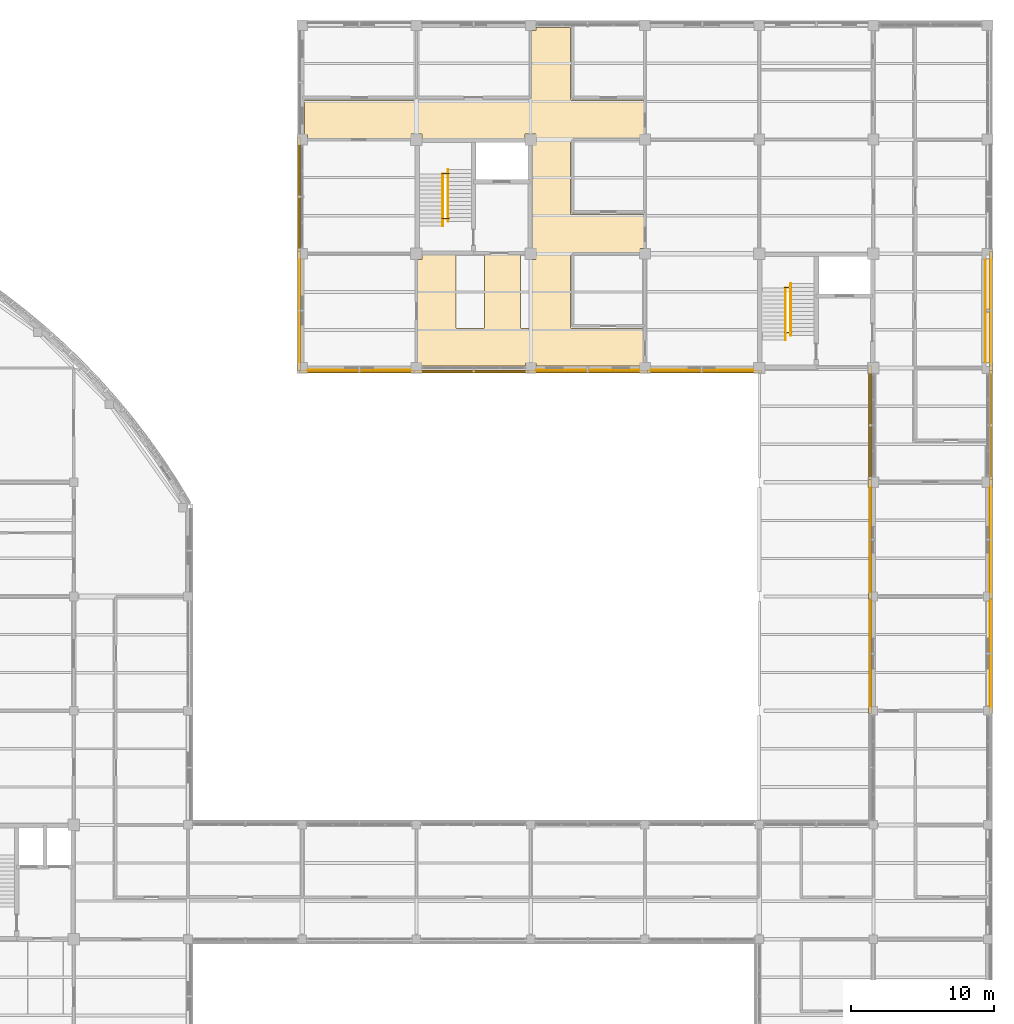
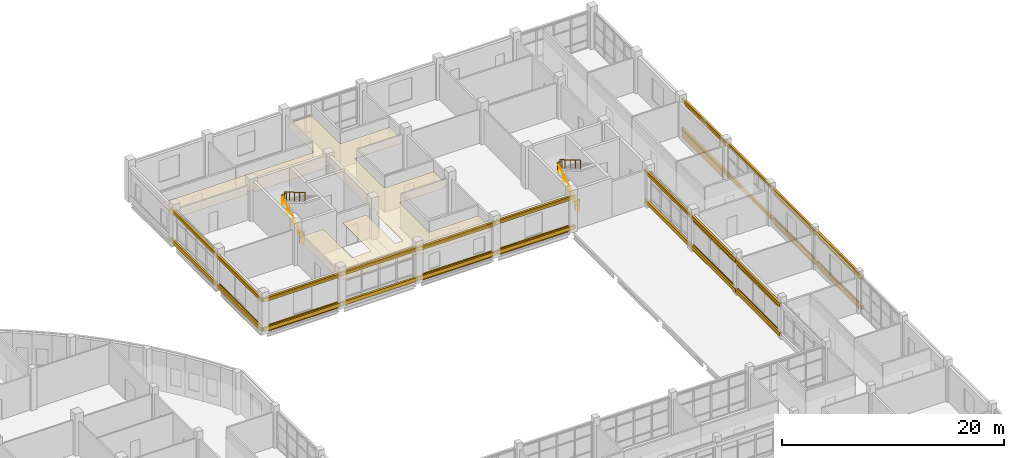
# One storey, part 120 of 121: 36 coverings, 18 shading devices, 8 railings.
"""IFC4 building model written with IfcOpenShell, lengths in metres."""

from ifc_helpers import new_model, si_unit, derived_unit, direction, frame, origin, origin_2d, place, context, subcontext, project, spatial, polyline, rectangle, circle, outline, extrude, material, layer, layer_set, material_profile, profile_set, type_object, element, save


model = new_model("IFC4")

# Units and contexts
model_context = context("Model", 3, precision=1e-05, world=origin(), true_north=direction((0.0, 1.0)))
body_context = subcontext(model_context, "Body", "Model", "MODEL_VIEW")
ifc_project = project(units=[si_unit("LENGTHUNIT", "METRE"), si_unit("AREAUNIT", "SQUARE_METRE"), si_unit("VOLUMEUNIT", "CUBIC_METRE"), si_unit("PLANEANGLEUNIT", "RADIAN"), si_unit("MASSUNIT", "GRAM", prefix="KILO"), derived_unit("THERMALTRANSMITTANCEUNIT", [(si_unit("MASSUNIT", "GRAM", prefix="KILO"), 1), (si_unit("TIMEUNIT", "SECOND"), -3), (si_unit("THERMODYNAMICTEMPERATUREUNIT", "KELVIN"), -1)])], contexts=[model_context])

# Site, building, storey
site_placement = place(None, origin())
site = spatial("IfcSite", under=ifc_project, at=site_placement, CompositionType="ELEMENT")
building_placement = place(site_placement, origin())
building = spatial("IfcBuilding", under=site, at=building_placement, Name="Veyamyaing Civic Hall", CompositionType="ELEMENT")
storey_placement = place(building_placement, frame((0.0, 0.0, 5.280029296875)))
storey = spatial("IfcBuildingStorey", under=building, at=storey_placement, Name="L01", CompositionType="ELEMENT", Elevation=5.280029296875)

# Coverings
ifc_material_1 = material(Name="Buff sandstone ashlar cladding", Category="masonry")
ifc_layer_1 = layer(ifc_material_1, 0.050048828125, Name="Buff sandstone ashlar cladding")
ifc_layer_set_1 = layer_set([ifc_layer_1], Name="Buff sandstone ashlar cladding")
covering_type_1 = type_object("IfcCoveringType", Name="CL-01", PredefinedType="CLADDING", material=ifc_layer_set_1)
for number, where, z_axis, x_axis, name in (
    (1, (132.0, 87.839111328125, 0.044921875), (0.0, 0.0, 1.0), (1.0, 0.0, 0.0), "Facade spandrel cladding CL-01 L01 S 17.12"),
    (2, (127.839111328125, 92.0, 0.044921875), (0.0, 0.0, 1.0), (0.0, 1.0, 0.0), "Facade spandrel cladding CL-01 L01 W 17.12"),
    (3, (148.0, 87.839111328125, 0.044921875), (0.0, 0.0, 1.0), (1.0, 0.0, 0.0), "Facade spandrel cladding CL-01 L01 S 19.12"),
):
    element("IfcCovering", number, at=place(storey_placement, frame(where, z_axis=z_axis, x_axis=x_axis)), inside=storey, type_object=covering_type_1, Name=name, PredefinedType="CLADDING", context=body_context, shape_type="SweptSolid", body=[
        extrude(rectangle(XDim=7.199951171875, YDim=0.050048828125, at=origin_2d()), origin(), (0.0, 0.0, 1.0), 0.75),
    ])
covering_1_placement = place(storey_placement, frame((155.987548828125, 87.839111328125, 0.044921875), z_axis=(0.0, 0.0, 1.0), x_axis=(1.0, 0.0, 0.0)))
element("IfcCovering", 4, at=covering_1_placement, inside=storey, type_object=covering_type_1, Name="Facade spandrel cladding CL-01 L01 S 20.12", PredefinedType="CLADDING", context=body_context, shape_type="SweptSolid", body=[
    extrude(rectangle(XDim=7.175048828125, YDim=0.050048828125, at=origin_2d()), origin(), (0.0, 0.0, 1.0), 0.75),
])
for number, where, z_axis, x_axis, name in (
    (5, (167.839111328125, 68.0, 0.044921875), (0.0, 0.0, 1.0), (0.0, 1.0, 0.0), "Facade spandrel cladding CL-01 L01 W 22.9"),
    (6, (176.160888671875, 68.0, 0.044921875), (0.0, 0.0, 1.0), (0.0, 1.0, 0.0), "Facade spandrel cladding CL-01 L01 E 22.9"),
):
    element("IfcCovering", number, at=place(storey_placement, frame(where, z_axis=z_axis, x_axis=x_axis)), inside=storey, type_object=covering_type_1, Name=name, PredefinedType="CLADDING", context=body_context, shape_type="SweptSolid", body=[
        extrude(rectangle(XDim=7.35009765625, YDim=0.050048828125, at=origin_2d()), origin(), (0.0, 0.0, 1.0), 0.75),
    ])
for number, where, z_axis, x_axis, name in (
    (7, (167.839111328125, 75.96240234375, 0.044921875), (0.0, 0.0, 1.0), (0.0, 1.0, 0.0), "Facade spandrel cladding CL-01 L01 W 22.10"),
    (8, (176.160888671875, 75.96240234375, 0.044921875), (0.0, 0.0, 1.0), (0.0, 1.0, 0.0), "Facade spandrel cladding CL-01 L01 E 22.10"),
):
    element("IfcCovering", number, at=place(storey_placement, frame(where, z_axis=z_axis, x_axis=x_axis)), inside=storey, type_object=covering_type_1, Name=name, PredefinedType="CLADDING", context=body_context, shape_type="SweptSolid", body=[
        extrude(rectangle(XDim=7.27490234375, YDim=0.050048828125, at=origin_2d()), origin(), (0.0, 0.0, 1.0), 0.75),
    ])
covering_2_placement = place(storey_placement, frame((175.861083984375, 92.0, 0.044921875), z_axis=(0.0, 0.0, 1.0), x_axis=(0.0, 1.0, 0.0)))
element("IfcCovering", 9, at=covering_2_placement, inside=storey, type_object=covering_type_1, Name="Facade spandrel cladding CL-01 L01 E 22.12", PredefinedType="CLADDING", context=body_context, shape_type="SweptSolid", body=[
    extrude(rectangle(XDim=7.199951171875, YDim=0.050048828125, at=origin_2d()), origin(), (0.0, 0.0, 1.0), 0.75),
])
ifc_material_2 = material(Name="White powder-coated aluminium 6063-T6", Category="aluminium")
ifc_layer_2 = layer(ifc_material_2, 0.2099609375, Name="White powder-coated aluminium 6063-T6")
ifc_layer_set_2 = layer_set([ifc_layer_2], Name="White powder-coated aluminium 6063-T6")
covering_type_2 = type_object("IfcCoveringType", Name="CL-03", PredefinedType="CLADDING", material=ifc_layer_set_2)
for number, where, z_axis, x_axis, name in (
    (10, (132.0, 87.760009765625, 3.530029296875), (0.0, 0.0, 1.0), (1.0, 0.0, 0.0), "Continuous white head fascia ribbon CL-03 L01 S 17.12"),
    (11, (132.0, 87.760009765625, 0.280029296875), (0.0, 0.0, 1.0), (1.0, 0.0, 0.0), "Continuous white sill fascia ribbon CL-03 L01 S 17.12"),
    (12, (127.760009765625, 92.0, 3.530029296875), (0.0, 0.0, 1.0), (0.0, 1.0, 0.0), "Continuous white head fascia ribbon CL-03 L01 W 17.12"),
    (13, (127.760009765625, 92.0, 0.280029296875), (0.0, 0.0, 1.0), (0.0, 1.0, 0.0), "Continuous white sill fascia ribbon CL-03 L01 W 17.12"),
    (14, (127.760009765625, 100.0, 3.593994140625), (0.0, 0.0, 1.0), (0.0, 1.0, 0.0), "Continuous white head fascia ribbon CL-03 L01 W 17.13"),
    (15, (127.760009765625, 100.0, 0.280029296875), (0.0, 0.0, 1.0), (0.0, 1.0, 0.0), "Continuous white sill fascia ribbon CL-03 L01 W 17.13"),
    (16, (140.0, 87.760009765625, 3.593994140625), (0.0, 0.0, 1.0), (1.0, 0.0, 0.0), "Continuous white head fascia ribbon CL-03 L01 S 18.12"),
    (17, (140.0, 87.760009765625, 0.280029296875), (0.0, 0.0, 1.0), (1.0, 0.0, 0.0), "Continuous white sill fascia ribbon CL-03 L01 S 18.12"),
    (18, (148.0, 87.760009765625, 3.533935546875), (0.0, 0.0, 1.0), (1.0, 0.0, 0.0), "Continuous white head fascia ribbon CL-03 L01 S 19.12"),
    (19, (148.0, 87.760009765625, 0.280029296875), (0.0, 0.0, 1.0), (1.0, 0.0, 0.0), "Continuous white sill fascia ribbon CL-03 L01 S 19.12"),
    (20, (156.0, 87.760009765625, 3.596923828125), (0.0, 0.0, 1.0), (1.0, 0.0, 0.0), "Continuous white head fascia ribbon CL-03 L01 S 20.12"),
    (21, (156.0, 87.760009765625, 0.280029296875), (0.0, 0.0, 1.0), (1.0, 0.0, 0.0), "Continuous white sill fascia ribbon CL-03 L01 S 20.12"),
    (22, (167.760009765625, 68.0, 3.533935546875), (0.0, 0.0, 1.0), (0.0, 1.0, 0.0), "Continuous white head fascia ribbon CL-03 L01 W 22.9"),
    (23, (167.760009765625, 68.0, 0.280029296875), (0.0, 0.0, 1.0), (0.0, 1.0, 0.0), "Continuous white sill fascia ribbon CL-03 L01 W 22.9"),
    (24, (176.239990234375, 68.0, 3.596923828125), (0.0, 0.0, 1.0), (0.0, 1.0, 0.0), "Continuous white head fascia ribbon CL-03 L01 E 22.9"),
    (25, (176.239990234375, 68.0, 0.280029296875), (0.0, 0.0, 1.0), (0.0, 1.0, 0.0), "Continuous white sill fascia ribbon CL-03 L01 E 22.9"),
    (26, (167.760009765625, 76.0, 3.596923828125), (0.0, 0.0, 1.0), (0.0, 1.0, 0.0), "Continuous white head fascia ribbon CL-03 L01 W 22.10"),
    (27, (167.760009765625, 76.0, 0.280029296875), (0.0, 0.0, 1.0), (0.0, 1.0, 0.0), "Continuous white sill fascia ribbon CL-03 L01 W 22.10"),
    (28, (176.239990234375, 76.0, 3.530029296875), (0.0, 0.0, 1.0), (0.0, 1.0, 0.0), "Continuous white head fascia ribbon CL-03 L01 E 22.10"),
    (29, (176.239990234375, 76.0, 0.280029296875), (0.0, 0.0, 1.0), (0.0, 1.0, 0.0), "Continuous white sill fascia ribbon CL-03 L01 E 22.10"),
    (30, (167.760009765625, 84.0, 3.530029296875), (0.0, 0.0, 1.0), (0.0, 1.0, 0.0), "Continuous white head fascia ribbon CL-03 L01 W 22.11"),
    (31, (167.760009765625, 84.0, 0.280029296875), (0.0, 0.0, 1.0), (0.0, 1.0, 0.0), "Continuous white sill fascia ribbon CL-03 L01 W 22.11"),
    (32, (176.239990234375, 84.0, 3.593994140625), (0.0, 0.0, 1.0), (0.0, 1.0, 0.0), "Continuous white head fascia ribbon CL-03 L01 E 22.11"),
    (33, (176.239990234375, 84.0, 0.280029296875), (0.0, 0.0, 1.0), (0.0, 1.0, 0.0), "Continuous white sill fascia ribbon CL-03 L01 E 22.11"),
    (34, (176.239990234375, 92.0, 3.533935546875), (0.0, 0.0, 1.0), (0.0, 1.0, 0.0), "Continuous white head fascia ribbon CL-03 L01 E 22.12"),
    (35, (176.239990234375, 92.0, 0.280029296875), (0.0, 0.0, 1.0), (0.0, 1.0, 0.0), "Continuous white sill fascia ribbon CL-03 L01 E 22.12"),
):
    element("IfcCovering", number, at=place(storey_placement, frame(where, z_axis=z_axis, x_axis=x_axis)), inside=storey, type_object=covering_type_2, Name=name, PredefinedType="CLADDING", context=body_context, shape_type="SweptSolid", body=[
        extrude(rectangle(XDim=8.360107421875, YDim=0.2099609375, at=origin_2d()), origin(), (0.0, 0.0, 1.0), 0.39990234375),
    ])
ifc_material_3 = material(Name="Perforated acoustic gypsum ceiling board")
ifc_layer_3 = layer(ifc_material_3, 0.02490234375, Name="Perforated acoustic gypsum ceiling board")
ifc_layer_set_3 = layer_set([ifc_layer_3], Name="Perforated acoustic gypsum ceiling board")
covering_type_3 = type_object("IfcCoveringType", Name="CLG-01", PredefinedType="CEILING", material=ifc_layer_set_3)
covering_3_placement = place(storey_placement, frame((0.0, 0.0, 2.699951171875)))
element("IfcCovering", 36, at=covering_3_placement, inside=storey, type_object=covering_type_3, Name="Acoustic suspended ceiling CLG-01 L01-C07", PredefinedType="CEILING", context=body_context, shape_type="SweptSolid", body=[
    extrude(outline(polyline([(138.783935546875, 90.8154296875), (138.802734375, 90.79248046875), (138.8291015625, 90.7783203125), (138.851806640625, 90.77490234375), (140.6982421875, 90.77490234375), (140.7216796875, 90.778564453125), (140.741455078125, 90.787841796875), (140.7578125, 90.802490234375), (140.768798828125, 90.82080078125), (140.77490234375, 90.8525390625), (140.77490234375, 95.925048828125), (143.27490234375, 95.925048828125), (143.27685546875, 90.8349609375), (143.283935546875, 90.8154296875), (143.302734375, 90.79248046875), (143.3291015625, 90.7783203125), (143.351806640625, 90.77490234375), (144.00732421875, 90.775390625), (144.02099609375, 90.7783203125), (144.04150390625, 90.787841796875), (144.057861328125, 90.802490234375), (144.068603515625, 90.82080078125), (144.074951171875, 90.8525390625), (144.074951171875, 95.614990234375), (144.385009765625, 95.614990234375), (144.385009765625, 96.385009765625), (144.074951171875, 96.385009765625), (144.074951171875, 103.614990234375), (144.385009765625, 103.614990234375), (144.385009765625, 104.385009765625), (143.614990234375, 104.385009765625), (143.614990234375, 104.074951171875), (136.385009765625, 104.074951171875), (136.385009765625, 104.385009765625), (135.614990234375, 104.385009765625), (135.614990234375, 104.074951171875), (128.360107421875, 104.074951171875), (128.360107421875, 104.360107421875), (128.155029296875, 104.360107421875), (128.155029296875, 106.77490234375), (143.998291015625, 106.77490234375), (144.021728515625, 106.778564453125), (144.041015625, 106.78759765625), (144.0625, 106.80908203125), (144.071533203125, 106.828369140625), (144.074951171875, 106.851806640625), (144.074951171875, 111.639892578125), (144.360107421875, 111.639892578125), (144.360107421875, 111.844970703125), (146.77490234375, 111.844970703125), (146.77490234375, 106.8525390625), (146.78125, 106.821533203125), (146.79736328125, 106.79736328125), (146.821533203125, 106.78125), (146.8525390625, 106.77490234375), (151.925048828125, 106.77490234375), (151.925048828125, 104.360107421875), (151.639892578125, 104.360107421875), (151.639892578125, 104.074951171875), (146.851806640625, 104.074951171875), (146.828369140625, 104.071533203125), (146.80908203125, 104.0625), (146.78759765625, 104.041015625), (146.778564453125, 104.021728515625), (146.77490234375, 103.998291015625), (146.77490234375, 98.851806640625), (146.778564453125, 98.828369140625), (146.787841796875, 98.80859375), (146.802978515625, 98.791748046875), (146.814697265625, 98.783935546875), (146.82763671875, 98.778564453125), (146.851806640625, 98.77490234375), (151.925048828125, 98.77490234375), (151.925048828125, 96.360107421875), (151.639892578125, 96.360107421875), (151.639892578125, 96.074951171875), (146.8525390625, 96.074951171875), (146.821533203125, 96.06884765625), (146.79736328125, 96.052734375), (146.78125, 96.028564453125), (146.77490234375, 95.99755859375), (146.77685546875, 90.8349609375), (146.783935546875, 90.8154296875), (146.802734375, 90.79248046875), (146.8291015625, 90.7783203125), (146.851806640625, 90.77490234375), (151.925048828125, 90.77490234375), (151.925048828125, 88.360107421875), (151.639892578125, 88.360107421875), (151.639892578125, 88.155029296875), (144.360107421875, 88.155029296875), (144.360107421875, 88.360107421875), (143.639892578125, 88.360107421875), (143.639892578125, 88.155029296875), (136.360107421875, 88.155029296875), (136.360107421875, 88.360107421875), (136.074951171875, 88.360107421875), (136.074951171875, 95.614990234375), (136.385009765625, 95.614990234375), (136.385009765625, 95.925048828125), (138.77490234375, 95.925048828125), (138.77685546875, 90.8349609375), (138.783935546875, 90.8154296875)])), origin(), (0.0, 0.0, 1.0), 0.02490234375),
])

# Shading devices
ifc_material_4 = material(Name="Anodised aluminium 6063-T6", Category="aluminium")
ifc_material_profile_1 = material_profile(ifc_material_4, rectangle(XDim=0.050048828125, YDim=0.25, at=origin_2d()), Name="LOUVRE-BLADE-50X250")
ifc_profile_set_1 = profile_set([ifc_material_profile_1], Name="Anodised aluminium 6063-T6")
shading_device_type_1 = type_object("IfcShadingDeviceType", Name="LV-01", PredefinedType="JALOUSIE", material=ifc_profile_set_1)
for number, where, z_axis, x_axis, name in (
    (37, (167.780029296875, 64.284912109375, 3.364013671875), (0.0, 1.0, 0.0), (-1.0, 0.0, 0.0), "Monsoon solar louvre LV-01 L01 W 22.9"),
    (38, (176.219970703125, 64.284912109375, 3.427001953125), (0.0, 1.0, 0.0), (-1.0, 0.0, 0.0), "Monsoon solar louvre LV-01 L01 E 22.9"),
):
    element("IfcShadingDevice", number, at=place(storey_placement, frame(where, z_axis=z_axis, x_axis=x_axis)), inside=storey, type_object=shading_device_type_1, Name=name, PredefinedType="JALOUSIE", context=body_context, shape_type="SweptSolid", body=[
        extrude(rectangle(XDim=0.050048828125, YDim=0.25, at=origin_2d()), origin(), (0.0, 0.0, 1.0), 7.43017578125),
    ])
for number, where, z_axis, x_axis, name in (
    (39, (167.780029296875, 72.284912109375, 3.427001953125), (0.0, 1.0, 0.0), (-1.0, 0.0, 0.0), "Monsoon solar louvre LV-01 L01 W 22.10"),
    (40, (176.219970703125, 72.284912109375, 3.35986328125), (0.0, 1.0, 0.0), (-1.0, 0.0, 0.0), "Monsoon solar louvre LV-01 L01 E 22.10"),
):
    element("IfcShadingDevice", number, at=place(storey_placement, frame(where, z_axis=z_axis, x_axis=x_axis)), inside=storey, type_object=shading_device_type_1, Name=name, PredefinedType="JALOUSIE", context=body_context, shape_type="SweptSolid", body=[
        extrude(rectangle(XDim=0.050048828125, YDim=0.25, at=origin_2d()), origin(), (0.0, 0.0, 1.0), 7.35498046875),
    ])
shading_device_1_placement = place(storey_placement, frame((176.219970703125, 88.360107421875, 3.364013671875), z_axis=(0.0, 1.0, 0.0), x_axis=(-1.0, 0.0, 0.0)))
element("IfcShadingDevice", 41, at=shading_device_1_placement, inside=storey, type_object=shading_device_type_1, Name="Monsoon solar louvre LV-01 L01 E 22.12", PredefinedType="JALOUSIE", context=body_context, shape_type="SweptSolid", body=[
    extrude(rectangle(XDim=0.050048828125, YDim=0.25, at=origin_2d()), origin(), (0.0, 0.0, 1.0), 7.27978515625),
])

# Railings
ifc_material_5 = material(Name="Steel S355J2", Category="steel")
railing_type_1 = type_object("IfcRailingType", Name="RL-01", PredefinedType="BALUSTRADE", material=ifc_material_5)
railing_1_placement = place(storey_placement, frame((161.780029296875, 93.6298828125, 2.31005859375)))
element("IfcRailing", 42, at=railing_1_placement, inside=storey, type_object=railing_type_1, Name="Half-landing slot guard RL-01 ST-03 L01", PredefinedType="BALUSTRADE", context=body_context, shape_type="SweptSolid", body=[
    extrude(circle(Radius=0.02392578125, at=origin_2d()), frame((0.0, 0.0, 1.076171875), z_axis=(1.0, 0.0, 0.0), x_axis=(0.0, 1.0, 0.0)), (0.0, 0.0, 1.0), 0.489990234375),
    extrude(circle(Radius=0.01416015625, at=origin_2d()), frame((0.0, 0.0, 0.572021484375), z_axis=(1.0, 0.0, 0.0), x_axis=(0.0, 1.0, 0.0)), (0.0, 0.0, 1.0), 0.489990234375),
    extrude(circle(Radius=0.02099609375, at=origin_2d()), origin(), (0.0, 0.0, 1.0), 1.052001953125),
    extrude(circle(Radius=0.02099609375, at=origin_2d()), frame((0.489990234375, 0.0, 0.0)), (0.0, 0.0, 1.0), 1.052001953125),
])
railing_2_placement = place(storey_placement, frame((161.800048828125, 90.47998046875, 0.0)))
element("IfcRailing", 43, at=railing_2_placement, inside=storey, type_object=railing_type_1, Name="Floor-landing slot guard RL-01 ST-03 L01", PredefinedType="BALUSTRADE", context=body_context, shape_type="SweptSolid", body=[
    extrude(circle(Radius=0.02392578125, at=origin_2d()), frame((0.0, 0.0, 1.076171875), z_axis=(1.0, 0.0, 0.0), x_axis=(0.0, 1.0, 0.0)), (0.0, 0.0, 1.0), 0.469970703125),
    extrude(circle(Radius=0.01416015625, at=origin_2d()), frame((0.0, 0.0, 0.572021484375), z_axis=(1.0, 0.0, 0.0), x_axis=(0.0, 1.0, 0.0)), (0.0, 0.0, 1.0), 0.469970703125),
    extrude(circle(Radius=0.02099609375, at=origin_2d()), origin(), (0.0, 0.0, 1.0), 1.052001953125),
    extrude(circle(Radius=0.02099609375, at=origin_2d()), frame((0.469970703125, 0.0, 0.0)), (0.0, 0.0, 1.0), 1.052001953125),
])
railing_3_placement = place(storey_placement, frame((137.780029296875, 101.6298828125, 2.31005859375)))
element("IfcRailing", 44, at=railing_3_placement, inside=storey, type_object=railing_type_1, Name="Half-landing slot guard RL-01 ST-04 L01", PredefinedType="BALUSTRADE", context=body_context, shape_type="SweptSolid", body=[
    extrude(circle(Radius=0.02392578125, at=origin_2d()), frame((0.0, 0.0, 1.076171875), z_axis=(1.0, 0.0, 0.0), x_axis=(0.0, 1.0, 0.0)), (0.0, 0.0, 1.0), 0.489990234375),
    extrude(circle(Radius=0.01416015625, at=origin_2d()), frame((0.0, 0.0, 0.572021484375), z_axis=(1.0, 0.0, 0.0), x_axis=(0.0, 1.0, 0.0)), (0.0, 0.0, 1.0), 0.489990234375),
    extrude(circle(Radius=0.02099609375, at=origin_2d()), origin(), (0.0, 0.0, 1.0), 1.052001953125),
    extrude(circle(Radius=0.02099609375, at=origin_2d()), frame((0.489990234375, 0.0, 0.0)), (0.0, 0.0, 1.0), 1.052001953125),
])
railing_4_placement = place(storey_placement, frame((137.800048828125, 98.47998046875, 0.0)))
element("IfcRailing", 45, at=railing_4_placement, inside=storey, type_object=railing_type_1, Name="Floor-landing slot guard RL-01 ST-04 L01", PredefinedType="BALUSTRADE", context=body_context, shape_type="SweptSolid", body=[
    extrude(circle(Radius=0.02392578125, at=origin_2d()), frame((0.0, 0.0, 1.076171875), z_axis=(1.0, 0.0, 0.0), x_axis=(0.0, 1.0, 0.0)), (0.0, 0.0, 1.0), 0.469970703125),
    extrude(circle(Radius=0.01416015625, at=origin_2d()), frame((0.0, 0.0, 0.572021484375), z_axis=(1.0, 0.0, 0.0), x_axis=(0.0, 1.0, 0.0)), (0.0, 0.0, 1.0), 0.469970703125),
    extrude(circle(Radius=0.02099609375, at=origin_2d()), origin(), (0.0, 0.0, 1.0), 1.052001953125),
    extrude(circle(Radius=0.02099609375, at=origin_2d()), frame((0.469970703125, 0.0, 0.0)), (0.0, 0.0, 1.0), 1.052001953125),
])
railing_type_2 = type_object("IfcRailingType", Name="RL-02", PredefinedType="HANDRAIL", material=ifc_material_5)
railing_5_placement = place(storey_placement, frame((161.840087890625, 89.949951171875, 0.1650390625)))
element("IfcRailing", 46, at=railing_5_placement, inside=storey, type_object=railing_type_2, Name="Stair pitch handrail RL-02 ST-03 L01.1", PredefinedType="HANDRAIL", context=body_context, shape_type="SweptSolid", body=[
    extrude(circle(Radius=0.02392578125, at=origin_2d()), frame((0.0, 0.0, 0.89599609375), z_axis=(0.0, 0.861544779993, 0.507681585313), x_axis=(-1.0, 0.0, 0.0)), (0.0, 0.0, 1.0), 4.22509765625),
    extrude(circle(Radius=0.02099609375, at=origin_2d()), origin(), (0.0, 0.0, 1.0), 0.871826171875),
    extrude(circle(Radius=0.02099609375, at=origin_2d()), frame((0.0, 0.91015625, 0.5361328125)), (0.0, 0.0, 1.0), 0.871826171875),
    extrude(circle(Radius=0.02099609375, at=origin_2d()), frame((0.0, 1.820068359375, 1.072509765625)), (0.0, 0.0, 1.0), 0.871826171875),
    extrude(circle(Radius=0.02099609375, at=origin_2d()), frame((0.0, 2.72998046875, 1.60888671875)), (0.0, 0.0, 1.0), 0.871826171875),
    extrude(circle(Radius=0.02099609375, at=origin_2d()), frame((0.0, 3.64013671875, 2.14501953125)), (0.0, 0.0, 1.0), 0.871826171875),
])
railing_6_placement = place(storey_placement, frame((162.219970703125, 93.909912109375, 2.474853515625)))
element("IfcRailing", 47, at=railing_6_placement, inside=storey, type_object=railing_type_2, Name="Stair pitch handrail RL-02 ST-03 L01.2", PredefinedType="HANDRAIL", context=body_context, shape_type="SweptSolid", body=[
    extrude(circle(Radius=0.02392578125, at=origin_2d()), frame((0.0, 0.0, 0.89599609375), z_axis=(0.0, -0.861529885852, 0.507706860091), x_axis=(1.0, 0.0, 0.0)), (0.0, 0.0, 1.0), 4.224853515625),
    extrude(circle(Radius=0.02099609375, at=origin_2d()), origin(), (0.0, 0.0, 1.0), 0.871826171875),
    extrude(circle(Radius=0.02099609375, at=origin_2d()), frame((0.0, -0.909912109375, 0.5361328125)), (0.0, 0.0, 1.0), 0.871826171875),
    extrude(circle(Radius=0.02099609375, at=origin_2d()), frame((0.0, -1.81982421875, 1.072509765625)), (0.0, 0.0, 1.0), 0.871826171875),
    extrude(circle(Radius=0.02099609375, at=origin_2d()), frame((0.0, -2.72998046875, 1.60888671875)), (0.0, 0.0, 1.0), 0.871826171875),
    extrude(circle(Radius=0.02099609375, at=origin_2d()), frame((0.0, -3.639892578125, 2.14501953125)), (0.0, 0.0, 1.0), 0.871826171875),
])
railing_7_placement = place(storey_placement, frame((137.840087890625, 97.949951171875, 0.1650390625)))
element("IfcRailing", 48, at=railing_7_placement, inside=storey, type_object=railing_type_2, Name="Stair pitch handrail RL-02 ST-04 L01.1", PredefinedType="HANDRAIL", context=body_context, shape_type="SweptSolid", body=[
    extrude(circle(Radius=0.02392578125, at=origin_2d()), frame((0.0, 0.0, 0.89599609375), z_axis=(0.0, 0.861544779993, 0.507681585313), x_axis=(-1.0, 0.0, 0.0)), (0.0, 0.0, 1.0), 4.22509765625),
    extrude(circle(Radius=0.02099609375, at=origin_2d()), origin(), (0.0, 0.0, 1.0), 0.871826171875),
    extrude(circle(Radius=0.02099609375, at=origin_2d()), frame((0.0, 0.91015625, 0.5361328125)), (0.0, 0.0, 1.0), 0.871826171875),
    extrude(circle(Radius=0.02099609375, at=origin_2d()), frame((0.0, 1.820068359375, 1.072509765625)), (0.0, 0.0, 1.0), 0.871826171875),
    extrude(circle(Radius=0.02099609375, at=origin_2d()), frame((0.0, 2.72998046875, 1.60888671875)), (0.0, 0.0, 1.0), 0.871826171875),
    extrude(circle(Radius=0.02099609375, at=origin_2d()), frame((0.0, 3.64013671875, 2.14501953125)), (0.0, 0.0, 1.0), 0.871826171875),
])
railing_8_placement = place(storey_placement, frame((138.219970703125, 101.909912109375, 2.474853515625)))
element("IfcRailing", 49, at=railing_8_placement, inside=storey, type_object=railing_type_2, Name="Stair pitch handrail RL-02 ST-04 L01.2", PredefinedType="HANDRAIL", context=body_context, shape_type="SweptSolid", body=[
    extrude(circle(Radius=0.02392578125, at=origin_2d()), frame((0.0, 0.0, 0.89599609375), z_axis=(0.0, -0.861529885852, 0.507706860091), x_axis=(1.0, 0.0, 0.0)), (0.0, 0.0, 1.0), 4.224853515625),
    extrude(circle(Radius=0.02099609375, at=origin_2d()), origin(), (0.0, 0.0, 1.0), 0.871826171875),
    extrude(circle(Radius=0.02099609375, at=origin_2d()), frame((0.0, -0.909912109375, 0.5361328125)), (0.0, 0.0, 1.0), 0.871826171875),
    extrude(circle(Radius=0.02099609375, at=origin_2d()), frame((0.0, -1.81982421875, 1.072509765625)), (0.0, 0.0, 1.0), 0.871826171875),
    extrude(circle(Radius=0.02099609375, at=origin_2d()), frame((0.0, -2.72998046875, 1.60888671875)), (0.0, 0.0, 1.0), 0.871826171875),
    extrude(circle(Radius=0.02099609375, at=origin_2d()), frame((0.0, -3.639892578125, 2.14501953125)), (0.0, 0.0, 1.0), 0.871826171875),
])

# Shading devices
ifc_material_profile_2 = material_profile(ifc_material_2, circle(Radius=0.090087890625, at=origin_2d()), Name="SHADE-TUBE-180")
ifc_profile_set_2 = profile_set([ifc_material_profile_2], Name="White powder-coated aluminium 6063-T6")
shading_device_type_2 = type_object("IfcShadingDeviceType", Name="SH-02", PredefinedType="USERDEFINED", material=ifc_profile_set_2)
for number, where, z_axis, x_axis, name in (
    (50, (128.360107421875, 87.760009765625, 3.68994140625), (1.0, 0.0, 0.0), (0.0, 1.0, 0.0), "Horizontal white sunshade ribbon SH-02 L01 S 17.12"),
    (51, (127.760009765625, 88.360107421875, 3.68994140625), (0.0, 1.0, 0.0), (-1.0, 0.0, 0.0), "Horizontal white sunshade ribbon SH-02 L01 W 17.12"),
    (52, (127.760009765625, 96.360107421875, 3.75390625), (0.0, 1.0, 0.0), (-1.0, 0.0, 0.0), "Horizontal white sunshade ribbon SH-02 L01 W 17.13"),
    (53, (136.360107421875, 87.760009765625, 3.75390625), (1.0, 0.0, 0.0), (0.0, 1.0, 0.0), "Horizontal white sunshade ribbon SH-02 L01 S 18.12"),
    (54, (144.360107421875, 87.760009765625, 3.694091796875), (1.0, 0.0, 0.0), (0.0, 1.0, 0.0), "Horizontal white sunshade ribbon SH-02 L01 S 19.12"),
):
    element("IfcShadingDevice", number, at=place(storey_placement, frame(where, z_axis=z_axis, x_axis=x_axis)), inside=storey, type_object=shading_device_type_2, Name=name, ObjectType="SUNSHADE", PredefinedType="USERDEFINED", context=body_context, shape_type="SweptSolid", body=[
        extrude(circle(Radius=0.090087890625, at=origin_2d()), origin(), (0.0, 0.0, 1.0), 7.27978515625),
    ])
shading_device_2_placement = place(storey_placement, frame((152.360107421875, 87.760009765625, 3.757080078125), z_axis=(1.0, 0.0, 0.0), x_axis=(0.0, 1.0, 0.0)))
element("IfcShadingDevice", 55, at=shading_device_2_placement, inside=storey, type_object=shading_device_type_2, Name="Horizontal white sunshade ribbon SH-02 L01 S 20.12", ObjectType="SUNSHADE", PredefinedType="USERDEFINED", context=body_context, shape_type="SweptSolid", body=[
    extrude(circle(Radius=0.090087890625, at=origin_2d()), origin(), (0.0, 0.0, 1.0), 7.2548828125),
])
for number, where, z_axis, x_axis, name in (
    (56, (167.760009765625, 64.284912109375, 3.694091796875), (0.0, 1.0, 0.0), (-1.0, 0.0, 0.0), "Horizontal white sunshade ribbon SH-02 L01 W 22.9"),
    (57, (176.239990234375, 64.284912109375, 3.757080078125), (0.0, 1.0, 0.0), (-1.0, 0.0, 0.0), "Horizontal white sunshade ribbon SH-02 L01 E 22.9"),
):
    element("IfcShadingDevice", number, at=place(storey_placement, frame(where, z_axis=z_axis, x_axis=x_axis)), inside=storey, type_object=shading_device_type_2, Name=name, ObjectType="SUNSHADE", PredefinedType="USERDEFINED", context=body_context, shape_type="SweptSolid", body=[
        extrude(circle(Radius=0.090087890625, at=origin_2d()), origin(), (0.0, 0.0, 1.0), 7.43017578125),
    ])
for number, where, z_axis, x_axis, name in (
    (58, (167.760009765625, 72.284912109375, 3.757080078125), (0.0, 1.0, 0.0), (-1.0, 0.0, 0.0), "Horizontal white sunshade ribbon SH-02 L01 W 22.10"),
    (59, (176.239990234375, 72.284912109375, 3.68994140625), (0.0, 1.0, 0.0), (-1.0, 0.0, 0.0), "Horizontal white sunshade ribbon SH-02 L01 E 22.10"),
):
    element("IfcShadingDevice", number, at=place(storey_placement, frame(where, z_axis=z_axis, x_axis=x_axis)), inside=storey, type_object=shading_device_type_2, Name=name, ObjectType="SUNSHADE", PredefinedType="USERDEFINED", context=body_context, shape_type="SweptSolid", body=[
        extrude(circle(Radius=0.090087890625, at=origin_2d()), origin(), (0.0, 0.0, 1.0), 7.35498046875),
    ])
shading_device_3_placement = place(storey_placement, frame((167.760009765625, 80.360107421875, 3.68994140625), z_axis=(0.0, 1.0, 0.0), x_axis=(-1.0, 0.0, 0.0)))
element("IfcShadingDevice", 60, at=shading_device_3_placement, inside=storey, type_object=shading_device_type_2, Name="Horizontal white sunshade ribbon SH-02 L01 W 22.11", ObjectType="SUNSHADE", PredefinedType="USERDEFINED", context=body_context, shape_type="SweptSolid", body=[
    extrude(circle(Radius=0.090087890625, at=origin_2d()), origin(), (0.0, 0.0, 1.0), 7.2548828125),
])
for number, where, z_axis, x_axis, name in (
    (61, (176.239990234375, 80.360107421875, 3.75390625), (0.0, 1.0, 0.0), (-1.0, 0.0, 0.0), "Horizontal white sunshade ribbon SH-02 L01 E 22.11"),
    (62, (176.239990234375, 88.360107421875, 3.694091796875), (0.0, 1.0, 0.0), (-1.0, 0.0, 0.0), "Horizontal white sunshade ribbon SH-02 L01 E 22.12"),
):
    element("IfcShadingDevice", number, at=place(storey_placement, frame(where, z_axis=z_axis, x_axis=x_axis)), inside=storey, type_object=shading_device_type_2, Name=name, ObjectType="SUNSHADE", PredefinedType="USERDEFINED", context=body_context, shape_type="SweptSolid", body=[
        extrude(circle(Radius=0.090087890625, at=origin_2d()), origin(), (0.0, 0.0, 1.0), 7.27978515625),
    ])

save(model, "model.ifc")
